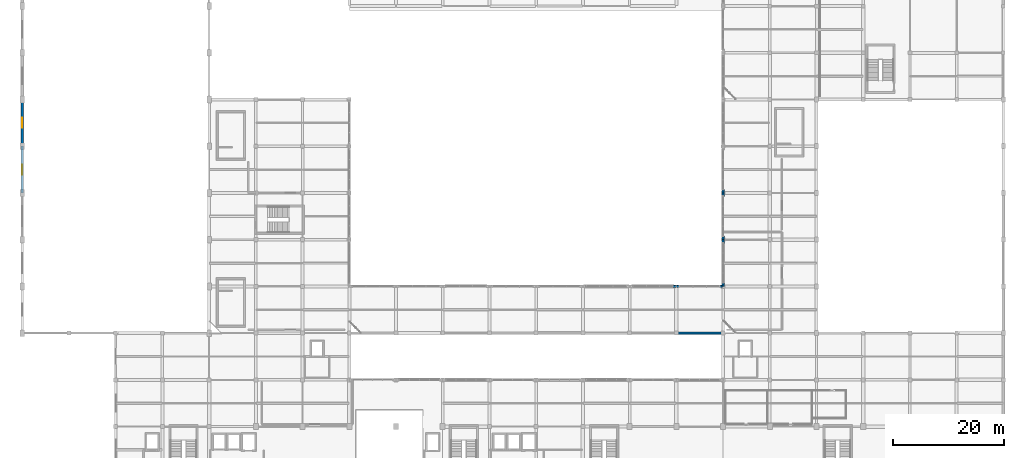
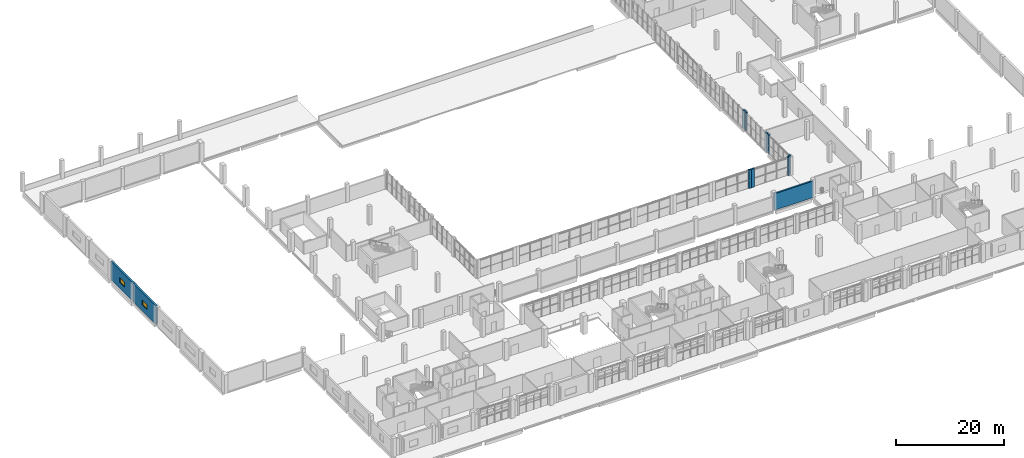
# One storey, part 50 of 59: 11 walls, 2 windows, 2 openings.
"""IFC4 building model written with IfcOpenShell, lengths in metres."""

from ifc_helpers import new_model, si_unit, derived_unit, direction, frame, frame_2d, origin, place, context, subcontext, project, spatial, rectangle, extrude, material, layer, layer_set, type_object, element, fill, save


model = new_model("IFC4")

# Units and contexts
model_context = context("Model", 3, precision=1e-05, world=origin(), true_north=direction((0.0, 1.0)))
body_context = subcontext(model_context, "Body", "Model", "MODEL_VIEW")
ifc_project = project(units=[si_unit("LENGTHUNIT", "METRE"), si_unit("AREAUNIT", "SQUARE_METRE"), si_unit("VOLUMEUNIT", "CUBIC_METRE"), si_unit("PLANEANGLEUNIT", "RADIAN"), si_unit("MASSUNIT", "GRAM", prefix="KILO"), derived_unit("THERMALTRANSMITTANCEUNIT", [(si_unit("POWERUNIT", "WATT"), 1), (si_unit("LENGTHUNIT", "METRE"), -2), (si_unit("THERMODYNAMICTEMPERATUREUNIT", "KELVIN"), -1)])], contexts=[model_context])

# Site, building, storey
site_placement = place(None, origin())
site = spatial("IfcSite", under=ifc_project, at=site_placement, CompositionType="ELEMENT")
building_placement = place(site_placement, origin())
building = spatial("IfcBuilding", under=site, at=building_placement, Name="Barrovel Congress Hotel", CompositionType="ELEMENT")
storey_placement = place(building_placement, frame((0.0, 0.0, 9.89990234375)))
storey = spatial("IfcBuildingStorey", under=building, at=storey_placement, Name="L02", CompositionType="ELEMENT", Elevation=9.89990234375)

# Walls
ifc_material_1 = material(Name="Fired Clay Brick Masonry", Category="masonry")
ifc_layer_1 = layer(ifc_material_1, 0.340087890625)
ifc_layer_set_1 = layer_set([ifc_layer_1], Name="Fired Clay Brick Masonry")
wall_type_1 = type_object("IfcWallType", Name="EW-BRK340", PredefinedType="STANDARD", material=ifc_layer_set_1)
for number, where, z_axis, x_axis, name in (
    (1, (126.0, 54.60009765625, 0.0), (0.0, 0.0, 1.0), (0.0, -1.0, 0.0), "EW:L02:CEJ-B:46.2"),
    (2, (126.0, 46.800048828125, 0.0), (0.0, 0.0, 1.0), (0.0, -1.0, 0.0), "EW:L02:CEJ-A:46.2"),
    (3, (126.0, 63.0, 0.0), (0.0, 0.0, 1.0), (0.0, -1.0, 0.0), "EW:L02:CEJ-B:54.6"),
):
    element("IfcWall", number, at=place(storey_placement, frame(where, z_axis=z_axis, x_axis=x_axis)), inside=storey, type_object=wall_type_1, Name=name, PredefinedType="STANDARD", context=body_context, shape_type="SweptSolid", body=[
        extrude(rectangle(XDim=0.60009765625, YDim=0.340087890625, at=frame_2d((0.300048828125, 0.0))), origin(), (0.0, 0.0, 1.0), 4.2001953125),
    ])
wall_1_placement = place(storey_placement, frame((126.0, 55.199951171875, 0.0), z_axis=(0.0, 0.0, 1.0), x_axis=(0.0, -1.0, 0.0)))
element("IfcWall", 4, at=wall_1_placement, inside=storey, type_object=wall_type_1, Name="EW:L02:CEJ-A:54.6", PredefinedType="STANDARD", context=body_context, shape_type="SweptSolid", body=[
    extrude(rectangle(XDim=0.599853515625, YDim=0.340087890625, at=frame_2d((0.2998046875, 0.0))), origin(), (0.0, 0.0, 1.0), 4.2001953125),
])
for number, where, z_axis, x_axis, name in (
    (5, (126.0, 63.60009765625, 0.0), (0.0, 0.0, 1.0), (0.0, -1.0, 0.0), "EW:L02:CEJ-A:63.0"),
    (6, (117.60009765625, 46.199951171875, 0.0), (0.0, 0.0, 1.0), (-1.0, 0.0, 0.0), "EW:L02:CLJ-L:13"),
):
    element("IfcWall", number, at=place(storey_placement, frame(where, z_axis=z_axis, x_axis=x_axis)), inside=storey, type_object=wall_type_1, Name=name, PredefinedType="STANDARD", context=body_context, shape_type="SweptSolid", body=[
        extrude(rectangle(XDim=0.60009765625, YDim=0.340087890625, at=frame_2d((0.300048828125, 0.0))), origin(), (0.0, 0.0, 1.0), 4.2001953125),
    ])
wall_2_placement = place(storey_placement, frame((125.830078125, 46.199951171875, 0.0), z_axis=(0.0, 0.0, 1.0), x_axis=(-1.0, 0.0, 0.0)))
element("IfcWall", 7, at=wall_2_placement, inside=storey, type_object=wall_type_1, Name="EW:L02:CLJ-L:14", PredefinedType="STANDARD", context=body_context, shape_type="SweptSolid", body=[
    extrude(rectangle(XDim=0.43017578125, YDim=0.340087890625, at=frame_2d((0.215087890625, 0.0))), origin(), (0.0, 0.0, 1.0), 4.2001953125),
])
wall_3_placement = place(storey_placement, frame((118.199951171875, 46.199951171875, 0.0), z_axis=(0.0, 0.0, 1.0), x_axis=(-1.0, 0.0, 0.0)))
element("IfcWall", 8, at=wall_3_placement, inside=storey, type_object=wall_type_1, Name="EW:L02:CLJ-R:14", PredefinedType="STANDARD", context=body_context, shape_type="SweptSolid", body=[
    extrude(rectangle(XDim=0.599853515625, YDim=0.340087890625, at=frame_2d((0.2998046875, 0.0))), origin(), (0.0, 0.0, 1.0), 4.2001953125),
])
wall_4_placement = place(storey_placement, frame((117.60009765625, 37.800048828125, 0.0), z_axis=(0.0, 0.0, 1.0), x_axis=(1.0, 0.0, 0.0)))
element("IfcWall", 9, at=wall_4_placement, inside=storey, type_object=wall_type_1, Name="EW:L02:CLS:P07", PredefinedType="STANDARD", context=body_context, shape_type="SweptSolid", body=[
    extrude(rectangle(XDim=8.39990234375, YDim=0.340087890625, at=frame_2d((4.199951171875, 0.0))), origin(), (0.0, 0.0, 1.0), 3.713134765625),
])

# Wall, opening, window
ifc_layer_2 = layer(ifc_material_1, 0.3798828125)
ifc_layer_set_2 = layer_set([ifc_layer_2], Name="Fired Clay Brick Masonry")
wall_type_2 = type_object("IfcWallType", Name="EW-BRK380", PredefinedType="STANDARD", material=ifc_layer_set_2)
wall_5_placement = place(storey_placement, frame((0.0, 79.800048828125, 0.0), z_axis=(0.0, 0.0, 1.0), x_axis=(0.0, -1.0, 0.0)))
wall_5 = element("IfcWall", 10, at=wall_5_placement, inside=storey, type_object=wall_type_2, Name="EW:L02:V1W:71.4", PredefinedType="STANDARD", context=body_context, shape_type="SweptSolid", body=[
    extrude(rectangle(XDim=8.400146484375, YDim=0.3798828125, at=frame_2d((4.2001953125, 0.0))), origin(), (0.0, 0.0, 1.0), 4.2001953125),
])
opening_1_placement = place(wall_5_placement, frame((3.300048828125, 0.0, 1.39990234375)))
opening_1 = element("IfcOpeningElement", 11, at=opening_1_placement, cuts=wall_5, Name="Opening WN-19", PredefinedType="OPENING", context=body_context, shape_type="SweptSolid", body=[
    extrude(rectangle(XDim=1.800048828125, YDim=1.10009765625, at=frame_2d((0.89990234375, 0.550048828125))), frame((0.0, 0.199951171875, 0.0), z_axis=(0.0, -1.0, 0.0), x_axis=(1.0, 0.0, 0.0)), (0.0, 0.0, 1.0), 0.39990234375),
])
ifc_material_2 = material(Name="Double Low-E Insulated Glazing", Category="glass")
window_type = type_object("IfcWindowType", Name="WIN-WN-19", PartitioningType="SINGLE_PANEL", PredefinedType="WINDOW", material=ifc_material_2)
window_1_placement = place(opening_1_placement, origin())
window_1 = element("IfcWindow", 12, at=window_1_placement, inside=storey, type_object=window_type, Name="WIN:L02:NAVEW:71.4", OverallHeight=1.10009765625, OverallWidth=1.800048828125, PartitioningType="SINGLE_PANEL", PredefinedType="WINDOW", context=body_context, shape_type="SweptSolid", body=[
    extrude(rectangle(XDim=1.800048828125, YDim=1.10009765625, at=frame_2d((0.89990234375, 0.550048828125))), frame((0.0, 0.030029296875, 0.0), z_axis=(0.0, -1.0, 0.0), x_axis=(1.0, 0.0, 0.0)), (0.0, 0.0, 1.0), 0.06005859375),
])
fill(opening_1, window_1)

wall_6_placement = place(storey_placement, frame((0.0, 71.39990234375, 0.0), z_axis=(0.0, 0.0, 1.0), x_axis=(0.0, -1.0, 0.0)))
wall_6 = element("IfcWall", 13, at=wall_6_placement, inside=storey, type_object=wall_type_2, Name="EW:L02:V1W:63.0", PredefinedType="STANDARD", context=body_context, shape_type="SweptSolid", body=[
    extrude(rectangle(XDim=8.39990234375, YDim=0.3798828125, at=frame_2d((4.199951171875, 0.0))), origin(), (0.0, 0.0, 1.0), 4.2001953125),
])
opening_2_placement = place(wall_6_placement, frame((3.300048828125, 0.0, 1.39990234375)))
opening_2 = element("IfcOpeningElement", 14, at=opening_2_placement, cuts=wall_6, Name="Opening WN-19", PredefinedType="OPENING", context=body_context, shape_type="SweptSolid", body=[
    extrude(rectangle(XDim=1.800048828125, YDim=1.10009765625, at=frame_2d((0.89990234375, 0.550048828125))), frame((0.0, 0.199951171875, 0.0), z_axis=(0.0, -1.0, 0.0), x_axis=(1.0, 0.0, 0.0)), (0.0, 0.0, 1.0), 0.39990234375),
])
window_2_placement = place(opening_2_placement, origin())
window_2 = element("IfcWindow", 15, at=window_2_placement, inside=storey, type_object=window_type, Name="WIN:L02:NAVEW:63.0", OverallHeight=1.10009765625, OverallWidth=1.800048828125, PartitioningType="SINGLE_PANEL", PredefinedType="WINDOW", context=body_context, shape_type="SweptSolid", body=[
    extrude(rectangle(XDim=1.800048828125, YDim=1.10009765625, at=frame_2d((0.89990234375, 0.550048828125))), frame((0.0, 0.030029296875, 0.0), z_axis=(0.0, -1.0, 0.0), x_axis=(1.0, 0.0, 0.0)), (0.0, 0.0, 1.0), 0.06005859375),
])
fill(opening_2, window_2)

save(model, "model.ifc")
